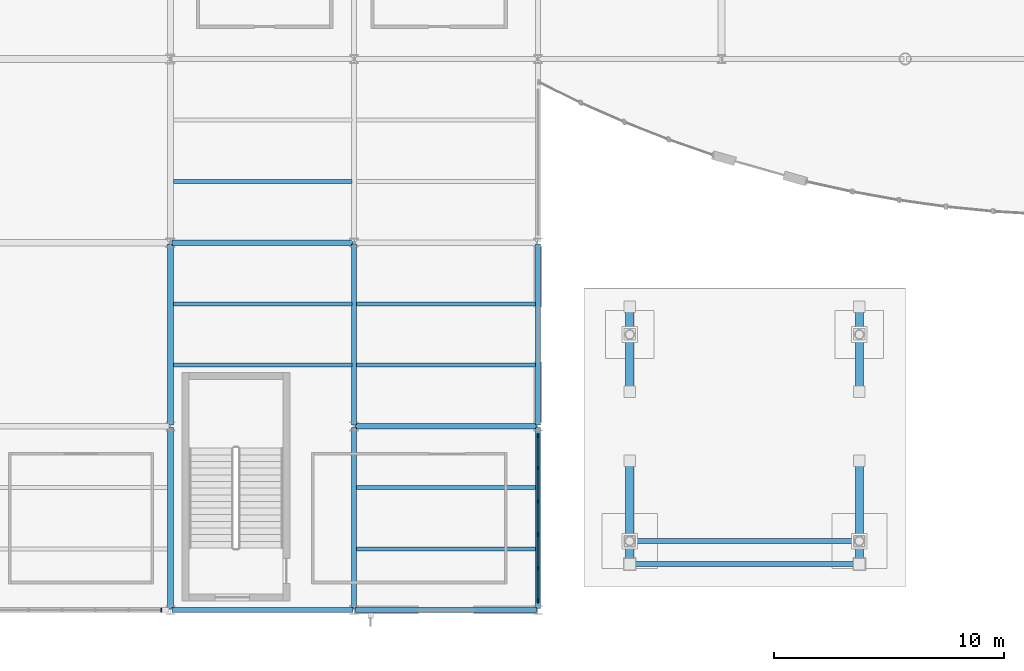
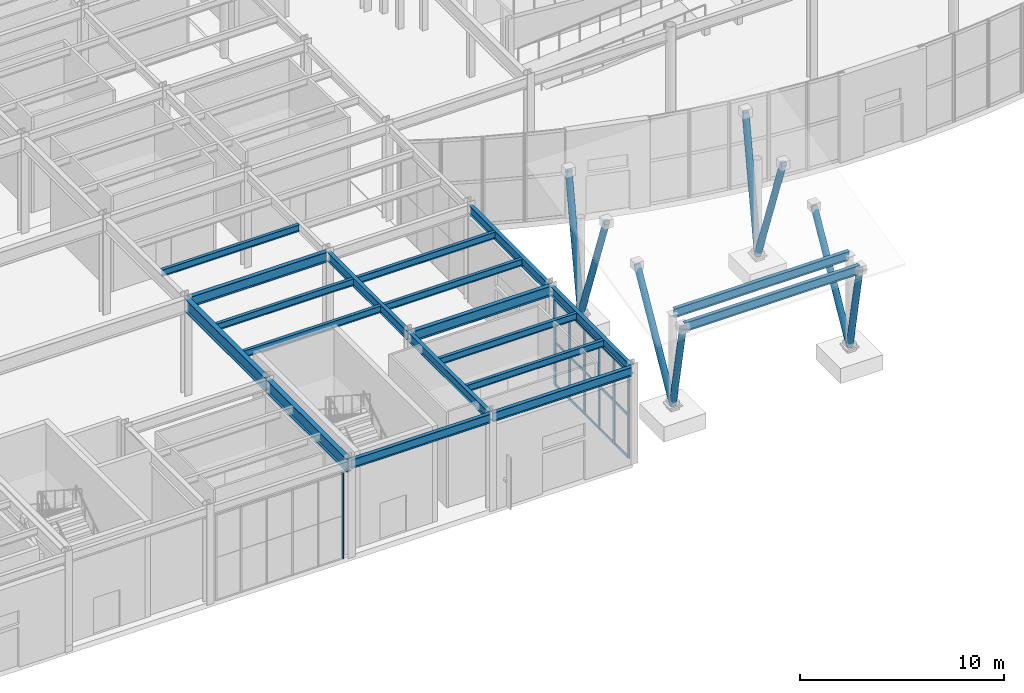
# One storey, part 29 of 82: 19 beams, 18 members, 2 elements without a shape of their own.
"""IFC4 building model written with IfcOpenShell, lengths in metres."""

from ifc_helpers import new_model, si_unit, direction, frame, origin, origin_2d, place, context, subcontext, project, spatial, rectangle, hollow_circle, i_section, extrude, material, material_profile, profile_set, type_object, element, aggregate, save


model = new_model("IFC4")

# Units and contexts
model_context = context("Model", 3, precision=1e-05, world=origin(), true_north=direction((0.0, 1.0)))
body_context = subcontext(model_context, "Body", "Model", "MODEL_VIEW")
ifc_project = project(units=[si_unit("LENGTHUNIT", "METRE"), si_unit("AREAUNIT", "SQUARE_METRE"), si_unit("VOLUMEUNIT", "CUBIC_METRE"), si_unit("PLANEANGLEUNIT", "RADIAN"), si_unit("MASSUNIT", "GRAM", prefix="KILO")], contexts=[model_context])

# Site, building, storey
site_placement = place(None, origin())
site = spatial("IfcSite", under=ifc_project, at=site_placement, CompositionType="ELEMENT")
building_placement = place(site_placement, origin())
building = spatial("IfcBuilding", under=site, at=building_placement, Name="Drelvath Fold Interchange", CompositionType="ELEMENT")
storey_placement = place(building_placement, origin())
storey = spatial("IfcBuildingStorey", under=building, at=storey_placement, Name="L00", CompositionType="ELEMENT", Elevation=0.0)

# Beams
ifc_material_1 = material(Name="Steel ASTM A992 Grade 50", Category="steel")
ifc_material_profile_1 = material_profile(ifc_material_1, i_section(OverallWidth=0.177978515625, OverallDepth=0.403076171875, WebThickness=0.007568359375, FlangeThickness=0.010986328125, at=origin_2d()), Name="W16X36")
ifc_profile_set_1 = profile_set([ifc_material_profile_1], Name="Steel ASTM A992 Grade 50")
beam_type_1 = type_object("IfcBeamType", Name="BM-W16X36", PredefinedType="JOIST", material=ifc_profile_set_1)
for number, where, z_axis, x_axis, name in (
    (1, (36.131103515625, 13.6669921875, 5.55810546875), (1.0, 0.0, 0.0), (0.0, 1.0, 0.0), "L00 Secondary floor joist BM-W16X36"),
    (2, (36.131103515625, 16.3330078125, 5.55810546875), (1.0, 0.0, 0.0), (0.0, 1.0, 0.0), "L00 Secondary floor joist BM-W16X36"),
    (3, (36.131103515625, 21.6669921875, 5.55810546875), (1.0, 0.0, 0.0), (0.0, 1.0, 0.0), "L00 Secondary floor joist BM-W16X36"),
):
    element("IfcBeam", number, at=place(storey_placement, frame(where, z_axis=z_axis, x_axis=x_axis)), inside=storey, type_object=beam_type_1, Name=name, PredefinedType="JOIST", context=body_context, shape_type="SweptSolid", body=[
        extrude(i_section(OverallWidth=0.177978515625, OverallDepth=0.403076171875, WebThickness=0.007568359375, FlangeThickness=0.010986328125, at=origin_2d()), origin(), (0.0, 0.0, 1.0), 7.765869140625),
    ])
for number, where, z_axis, x_axis, name in (
    (4, (44.10302734375, 5.6669921875, 5.55810546875), (1.0, 0.0, 0.0), (0.0, 1.0, 0.0), "L00 Secondary floor joist BM-W16X36"),
    (5, (44.10302734375, 8.3330078125, 5.55810546875), (1.0, 0.0, 0.0), (0.0, 1.0, 0.0), "L00 Secondary floor joist BM-W16X36"),
    (6, (44.10302734375, 13.6669921875, 5.55810546875), (1.0, 0.0, 0.0), (0.0, 1.0, 0.0), "L00 Secondary floor joist BM-W16X36"),
    (7, (44.10302734375, 16.3330078125, 5.55810546875), (1.0, 0.0, 0.0), (0.0, 1.0, 0.0), "L00 Secondary floor joist BM-W16X36"),
):
    element("IfcBeam", number, at=place(storey_placement, frame(where, z_axis=z_axis, x_axis=x_axis)), inside=storey, type_object=beam_type_1, Name=name, PredefinedType="JOIST", context=body_context, shape_type="SweptSolid", body=[
        extrude(i_section(OverallWidth=0.177978515625, OverallDepth=0.403076171875, WebThickness=0.007568359375, FlangeThickness=0.010986328125, at=origin_2d()), origin(), (0.0, 0.0, 1.0), 7.7939453125),
    ])
ifc_material_profile_2 = material_profile(ifc_material_1, i_section(OverallWidth=0.2099609375, OverallDepth=0.537109375, WebThickness=0.010986328125, FlangeThickness=0.017333984375, at=origin_2d()), Name="W21X68")
ifc_profile_set_2 = profile_set([ifc_material_profile_2], Name="Steel ASTM A992 Grade 50")
beam_type_2 = type_object("IfcBeamType", Name="BM-W21X68", PredefinedType="SPANDREL", material=ifc_profile_set_2)
for number, where, z_axis, x_axis, name in (
    (8, (36.06005859375, 3.0, 5.490966796875), (1.0, 0.0, 0.0), (0.0, 1.0, 0.0), "L00 Primary X girder BM-W21X68"),
    (9, (44.06005859375, 3.0, 5.490966796875), (1.0, 0.0, 0.0), (0.0, 1.0, 0.0), "L00 Primary X girder BM-W21X68"),
    (10, (44.0, 3.06005859375, 5.490966796875), (0.0, 1.0, 0.0), (-1.0, 0.0, 0.0), "L00 Primary Y girder BM-W21X68"),
    (11, (44.0, 11.06005859375, 5.490966796875), (0.0, 1.0, 0.0), (-1.0, 0.0, 0.0), "L00 Primary Y girder BM-W21X68"),
    (12, (52.0, 3.06005859375, 5.490966796875), (0.0, 1.0, 0.0), (-1.0, 0.0, 0.0), "L00 Primary Y girder BM-W21X68"),
    (13, (52.0, 11.06005859375, 5.490966796875), (0.0, 1.0, 0.0), (-1.0, 0.0, 0.0), "L00 Primary Y girder BM-W21X68"),
):
    element("IfcBeam", number, at=place(storey_placement, frame(where, z_axis=z_axis, x_axis=x_axis)), inside=storey, type_object=beam_type_2, Name=name, PredefinedType="SPANDREL", context=body_context, shape_type="SweptSolid", body=[
        extrude(i_section(OverallWidth=0.2099609375, OverallDepth=0.537109375, WebThickness=0.010986328125, FlangeThickness=0.017333984375, at=origin_2d()), origin(), (0.0, 0.0, 1.0), 7.8798828125),
    ])
for number, where, z_axis, x_axis, name in (
    (14, (56.050048828125, 5.0, 5.4580078125), (1.0, 0.0, 0.0), (0.0, 1.0, 0.0), "L00 Forecourt canopy south eave beam BM-W21X68"),
    (15, (56.050048828125, 6.0, 5.68896484375), (1.0, 0.0, 0.0), (0.0, 1.0, 0.0), "L00 Forecourt canopy tie beam BM-W21X68"),
):
    element("IfcBeam", number, at=place(storey_placement, frame(where, z_axis=z_axis, x_axis=x_axis)), inside=storey, type_object=beam_type_2, Name=name, PredefinedType="SPANDREL", context=body_context, shape_type="SweptSolid", body=[
        extrude(i_section(OverallWidth=0.2099609375, OverallDepth=0.537109375, WebThickness=0.010986328125, FlangeThickness=0.017333984375, at=origin_2d()), origin(), (0.0, 0.0, 1.0), 9.89990234375),
    ])
ifc_material_profile_3 = material_profile(ifc_material_1, i_section(OverallWidth=0.22998046875, OverallDepth=0.616943359375, WebThickness=0.01318359375, FlangeThickness=0.022216796875, at=origin_2d()), Name="W24X94")
ifc_profile_set_3 = profile_set([ifc_material_profile_3], Name="Steel ASTM A992 Grade 50")
beam_type_3 = type_object("IfcBeamType", Name="BM-W24X94", PredefinedType="BEAM", material=ifc_profile_set_3)
for number, where, z_axis, x_axis, name in (
    (16, (44.06005859375, 11.0, 5.450927734375), (1.0, 0.0, 0.0), (0.0, 1.0, 0.0), "L00 Primary X girder BM-W24X94"),
    (17, (36.06005859375, 19.0, 5.450927734375), (1.0, 0.0, 0.0), (0.0, 1.0, 0.0), "L00 Primary X girder BM-W24X94"),
):
    element("IfcBeam", number, at=place(storey_placement, frame(where, z_axis=z_axis, x_axis=x_axis)), inside=storey, type_object=beam_type_3, Name=name, PredefinedType="BEAM", context=body_context, shape_type="SweptSolid", body=[
        extrude(i_section(OverallWidth=0.22998046875, OverallDepth=0.616943359375, WebThickness=0.01318359375, FlangeThickness=0.022216796875, at=origin_2d()), origin(), (0.0, 0.0, 1.0), 7.8798828125),
    ])
ifc_material_profile_4 = material_profile(ifc_material_1, i_section(OverallWidth=0.26611328125, OverallDepth=0.779052734375, WebThickness=0.0166015625, FlangeThickness=0.030029296875, at=origin_2d()), Name="W30X148")
ifc_profile_set_4 = profile_set([ifc_material_profile_4], Name="Steel ASTM A992 Grade 50")
beam_type_4 = type_object("IfcBeamType", Name="BM-W30X148", PredefinedType="BEAM", material=ifc_profile_set_4)
for number, where, z_axis, x_axis, name in (
    (18, (36.0, 3.06005859375, 5.3701171875), (0.0, 1.0, 0.0), (-1.0, 0.0, 0.0), "L00 Primary Y girder BM-W30X148"),
    (19, (36.0, 11.06005859375, 5.3701171875), (0.0, 1.0, 0.0), (-1.0, 0.0, 0.0), "L00 Primary Y girder BM-W30X148"),
):
    element("IfcBeam", number, at=place(storey_placement, frame(where, z_axis=z_axis, x_axis=x_axis)), inside=storey, type_object=beam_type_4, Name=name, PredefinedType="BEAM", context=body_context, shape_type="SweptSolid", body=[
        extrude(i_section(OverallWidth=0.26611328125, OverallDepth=0.779052734375, WebThickness=0.0166015625, FlangeThickness=0.030029296875, at=origin_2d()), origin(), (0.0, 0.0, 1.0), 7.8798828125),
    ])

# Curtain wall, member
ifc_material_2 = material(Name="Anodized Aluminium 6063-T6", Category="aluminium")
curtain_wall_type = type_object("IfcCurtainWallType", Name="CW-OPS-L00", PredefinedType="USERDEFINED", material=ifc_material_2)
curtain_wall_1_placement = place(storey_placement, origin())
curtain_wall_1 = element("IfcCurtainWall", 20, at=curtain_wall_1_placement, inside=storey, type_object=curtain_wall_type, Name="Curtain wall CW-V5-L00-S28", ObjectType="UNITISED CURTAIN WALL", PredefinedType="USERDEFINED")
ifc_material_profile_5 = material_profile(ifc_material_2, rectangle(XDim=0.06005859375, YDim=0.175048828125, at=origin_2d()), Name="AL-M 60x175")
ifc_profile_set_5 = profile_set([ifc_material_profile_5], Name="Anodized Aluminium 6063-T6")
member_type_1 = type_object("IfcMemberType", Name="ML-175", PredefinedType="MULLION", material=ifc_profile_set_5)
member_1_placement = place(storey_placement, frame((35.60009765625, 3.0, 0.0), z_axis=(0.0, 0.0, 1.0), x_axis=(1.0, 0.0, 0.0)))
member_1 = element("IfcMember", 21, at=member_1_placement, type_object=member_type_1, Name="CW-V5-L00-S28 mullion 5", PredefinedType="MULLION", context=body_context, shape_type="SweptSolid", body=[
    extrude(rectangle(XDim=0.06005859375, YDim=0.175048828125, at=origin_2d()), origin(), (0.0, 0.0, 1.0), 5.10009765625),
])
aggregate(curtain_wall_1, [member_1])

# Curtain wall, members
curtain_wall_2_placement = place(storey_placement, origin())
curtain_wall_2 = element("IfcCurtainWall", 22, at=curtain_wall_2_placement, inside=storey, type_object=curtain_wall_type, Name="Curtain wall CW-V5-L00-E3", ObjectType="UNITISED CURTAIN WALL", PredefinedType="USERDEFINED")
member_2_placement = place(storey_placement, frame((52.0, 3.39990234375, 0.0), z_axis=(0.0, 0.0, 1.0), x_axis=(1.0, 0.0, 0.0)))
member_2 = element("IfcMember", 23, at=member_2_placement, type_object=member_type_1, Name="CW-V5-L00-E3 mullion 0", PredefinedType="MULLION", context=body_context, shape_type="SweptSolid", body=[
    extrude(rectangle(XDim=0.06005859375, YDim=0.175048828125, at=origin_2d()), origin(), (0.0, 0.0, 1.0), 5.10009765625),
])
member_3_placement = place(storey_placement, frame((52.0, 4.81591796875, 0.0), z_axis=(0.0, 0.0, 1.0), x_axis=(1.0, 0.0, 0.0)))
member_3 = element("IfcMember", 24, at=member_3_placement, type_object=member_type_1, Name="CW-V5-L00-E3 mullion 1", PredefinedType="MULLION", context=body_context, shape_type="SweptSolid", body=[
    extrude(rectangle(XDim=0.06005859375, YDim=0.175048828125, at=origin_2d()), origin(), (0.0, 0.0, 1.0), 5.10009765625),
])
member_4_placement = place(storey_placement, frame((52.0, 6.27197265625, 0.0), z_axis=(0.0, 0.0, 1.0), x_axis=(1.0, 0.0, 0.0)))
member_4 = element("IfcMember", 25, at=member_4_placement, type_object=member_type_1, Name="CW-V5-L00-E3 mullion 2", PredefinedType="MULLION", context=body_context, shape_type="SweptSolid", body=[
    extrude(rectangle(XDim=0.06005859375, YDim=0.175048828125, at=origin_2d()), origin(), (0.0, 0.0, 1.0), 5.10009765625),
])
member_5_placement = place(storey_placement, frame((52.0, 7.72802734375, 0.0), z_axis=(0.0, 0.0, 1.0), x_axis=(1.0, 0.0, 0.0)))
member_5 = element("IfcMember", 26, at=member_5_placement, type_object=member_type_1, Name="CW-V5-L00-E3 mullion 3", PredefinedType="MULLION", context=body_context, shape_type="SweptSolid", body=[
    extrude(rectangle(XDim=0.06005859375, YDim=0.175048828125, at=origin_2d()), origin(), (0.0, 0.0, 1.0), 5.10009765625),
])
member_6_placement = place(storey_placement, frame((52.0, 9.18408203125, 0.0), z_axis=(0.0, 0.0, 1.0), x_axis=(1.0, 0.0, 0.0)))
member_6 = element("IfcMember", 27, at=member_6_placement, type_object=member_type_1, Name="CW-V5-L00-E3 mullion 4", PredefinedType="MULLION", context=body_context, shape_type="SweptSolid", body=[
    extrude(rectangle(XDim=0.06005859375, YDim=0.175048828125, at=origin_2d()), origin(), (0.0, 0.0, 1.0), 5.10009765625),
])
member_7_placement = place(storey_placement, frame((52.0, 10.60009765625, 0.0), z_axis=(0.0, 0.0, 1.0), x_axis=(1.0, 0.0, 0.0)))
member_7 = element("IfcMember", 28, at=member_7_placement, type_object=member_type_1, Name="CW-V5-L00-E3 mullion 5", PredefinedType="MULLION", context=body_context, shape_type="SweptSolid", body=[
    extrude(rectangle(XDim=0.06005859375, YDim=0.175048828125, at=origin_2d()), origin(), (0.0, 0.0, 1.0), 5.10009765625),
])

# Members
ifc_material_3 = material(Name="Steel ASTM A500 Grade C", Category="steel")
ifc_material_profile_6 = material_profile(ifc_material_3, hollow_circle(Radius=0.177978515625, WallThickness=0.01171875, at=origin_2d()), Name="HSS14.000X0.500")
ifc_profile_set_6 = profile_set([ifc_material_profile_6], Name="Steel ASTM A500 Grade C")
member_type_2 = type_object("IfcMemberType", Name="ST-VST356", PredefinedType="STRUT", material=ifc_profile_set_6)
member_8_placement = place(storey_placement, frame((56.0, 6.0, 0.239990234375), z_axis=(0.0, -0.18821845152, 0.982127188559), x_axis=(1.0, 0.0, 0.0)))
element("IfcMember", 29, at=member_8_placement, inside=storey, type_object=member_type_2, Name="L00 Forecourt canopy inclined V-strut ST-VST356", PredefinedType="STRUT", context=body_context, shape_type="SweptSolid", body=[
    extrude(hollow_circle(Radius=0.177978515625, WallThickness=0.01171875, at=origin_2d()), origin(), (0.0, 0.0, 1.0), 5.31298828125),
])
member_9_placement = place(storey_placement, frame((56.0, 6.0, 0.239990234375), z_axis=(0.0, 0.488182317055, 0.872741671582), x_axis=(-1.0, 0.0, 0.0)))
element("IfcMember", 30, at=member_9_placement, inside=storey, type_object=member_type_2, Name="L00 Forecourt canopy inclined V-strut ST-VST356", PredefinedType="STRUT", context=body_context, shape_type="SweptSolid", body=[
    extrude(hollow_circle(Radius=0.177978515625, WallThickness=0.01171875, at=origin_2d()), origin(), (0.0, 0.0, 1.0), 7.16943359375),
])
member_10_placement = place(storey_placement, frame((66.0, 6.0, 0.239990234375), z_axis=(0.0, -0.18821845152, 0.982127188559), x_axis=(1.0, 0.0, 0.0)))
element("IfcMember", 31, at=member_10_placement, inside=storey, type_object=member_type_2, Name="L00 Forecourt canopy inclined V-strut ST-VST356", PredefinedType="STRUT", context=body_context, shape_type="SweptSolid", body=[
    extrude(hollow_circle(Radius=0.177978515625, WallThickness=0.01171875, at=origin_2d()), origin(), (0.0, 0.0, 1.0), 5.31298828125),
])
member_11_placement = place(storey_placement, frame((66.0, 6.0, 0.239990234375), z_axis=(0.0, 0.488182317055, 0.872741671582), x_axis=(-1.0, 0.0, 0.0)))
element("IfcMember", 32, at=member_11_placement, inside=storey, type_object=member_type_2, Name="L00 Forecourt canopy inclined V-strut ST-VST356", PredefinedType="STRUT", context=body_context, shape_type="SweptSolid", body=[
    extrude(hollow_circle(Radius=0.177978515625, WallThickness=0.01171875, at=origin_2d()), origin(), (0.0, 0.0, 1.0), 7.16943359375),
])
member_12_placement = place(storey_placement, frame((56.0, 15.0, 0.239990234375), z_axis=(0.0, -0.338481846347, 0.940972921871), x_axis=(1.0, 0.0, 0.0)))
element("IfcMember", 33, at=member_12_placement, inside=storey, type_object=member_type_2, Name="L00 Forecourt canopy inclined V-strut ST-VST356", PredefinedType="STRUT", context=body_context, shape_type="SweptSolid", body=[
    extrude(hollow_circle(Radius=0.177978515625, WallThickness=0.01171875, at=origin_2d()), origin(), (0.0, 0.0, 1.0), 7.385986328125),
])
member_13_placement = place(storey_placement, frame((56.0, 15.0, 0.239990234375), z_axis=(0.0, 0.151975860179, 0.988384205622), x_axis=(-1.0, 0.0, 0.0)))
element("IfcMember", 34, at=member_13_placement, inside=storey, type_object=member_type_2, Name="L00 Forecourt canopy inclined V-strut ST-VST356", PredefinedType="STRUT", context=body_context, shape_type="SweptSolid", body=[
    extrude(hollow_circle(Radius=0.177978515625, WallThickness=0.01171875, at=origin_2d()), origin(), (0.0, 0.0, 1.0), 7.895751953125),
])
member_14_placement = place(storey_placement, frame((66.0, 15.0, 0.239990234375), z_axis=(0.0, -0.338481846347, 0.940972921871), x_axis=(1.0, 0.0, 0.0)))
element("IfcMember", 35, at=member_14_placement, inside=storey, type_object=member_type_2, Name="L00 Forecourt canopy inclined V-strut ST-VST356", PredefinedType="STRUT", context=body_context, shape_type="SweptSolid", body=[
    extrude(hollow_circle(Radius=0.177978515625, WallThickness=0.01171875, at=origin_2d()), origin(), (0.0, 0.0, 1.0), 7.385986328125),
])
member_15_placement = place(storey_placement, frame((66.0, 15.0, 0.239990234375), z_axis=(0.0, 0.151975860179, 0.988384205622), x_axis=(-1.0, 0.0, 0.0)))
element("IfcMember", 36, at=member_15_placement, inside=storey, type_object=member_type_2, Name="L00 Forecourt canopy inclined V-strut ST-VST356", PredefinedType="STRUT", context=body_context, shape_type="SweptSolid", body=[
    extrude(hollow_circle(Radius=0.177978515625, WallThickness=0.01171875, at=origin_2d()), origin(), (0.0, 0.0, 1.0), 7.895751953125),
])

# Member
ifc_material_profile_7 = material_profile(ifc_material_2, rectangle(XDim=0.06005859375, YDim=0.139892578125, at=origin_2d()), Name="AL-T 60x140")
ifc_profile_set_7 = profile_set([ifc_material_profile_7], Name="Anodized Aluminium 6063-T6")
member_type_3 = type_object("IfcMemberType", Name="TR-140", PredefinedType="USERDEFINED", material=ifc_profile_set_7)
member_16_placement = place(storey_placement, frame((52.0, 3.39990234375, 0.030029296875), z_axis=(0.0, 1.0, 0.0), x_axis=(-1.0, 0.0, 0.0)))
member_16 = element("IfcMember", 37, at=member_16_placement, type_object=member_type_3, Name="CW-V5-L00-E3 transom 0", ObjectType="TRANSOM", PredefinedType="USERDEFINED", context=body_context, shape_type="SweptSolid", body=[
    extrude(rectangle(XDim=0.06005859375, YDim=0.139892578125, at=origin_2d()), origin(), (0.0, 0.0, 1.0), 7.2001953125),
])

member_17_placement = place(storey_placement, frame((52.0, 3.39990234375, 2.550048828125), z_axis=(0.0, 1.0, 0.0), x_axis=(-1.0, 0.0, 0.0)))
member_17 = element("IfcMember", 38, at=member_17_placement, type_object=member_type_3, Name="CW-V5-L00-E3 transom 1", ObjectType="TRANSOM", PredefinedType="USERDEFINED", context=body_context, shape_type="SweptSolid", body=[
    extrude(rectangle(XDim=0.06005859375, YDim=0.139892578125, at=origin_2d()), origin(), (0.0, 0.0, 1.0), 7.2001953125),
])

member_18_placement = place(storey_placement, frame((52.0, 3.39990234375, 5.070068359375), z_axis=(0.0, 1.0, 0.0), x_axis=(-1.0, 0.0, 0.0)))
member_18 = element("IfcMember", 39, at=member_18_placement, type_object=member_type_3, Name="CW-V5-L00-E3 transom 2", ObjectType="TRANSOM", PredefinedType="USERDEFINED", context=body_context, shape_type="SweptSolid", body=[
    extrude(rectangle(XDim=0.06005859375, YDim=0.139892578125, at=origin_2d()), origin(), (0.0, 0.0, 1.0), 7.2001953125),
])

aggregate(curtain_wall_2, [member_2, member_3, member_4, member_5, member_6, member_7, member_16, member_17, member_18])

save(model, "model.ifc")
